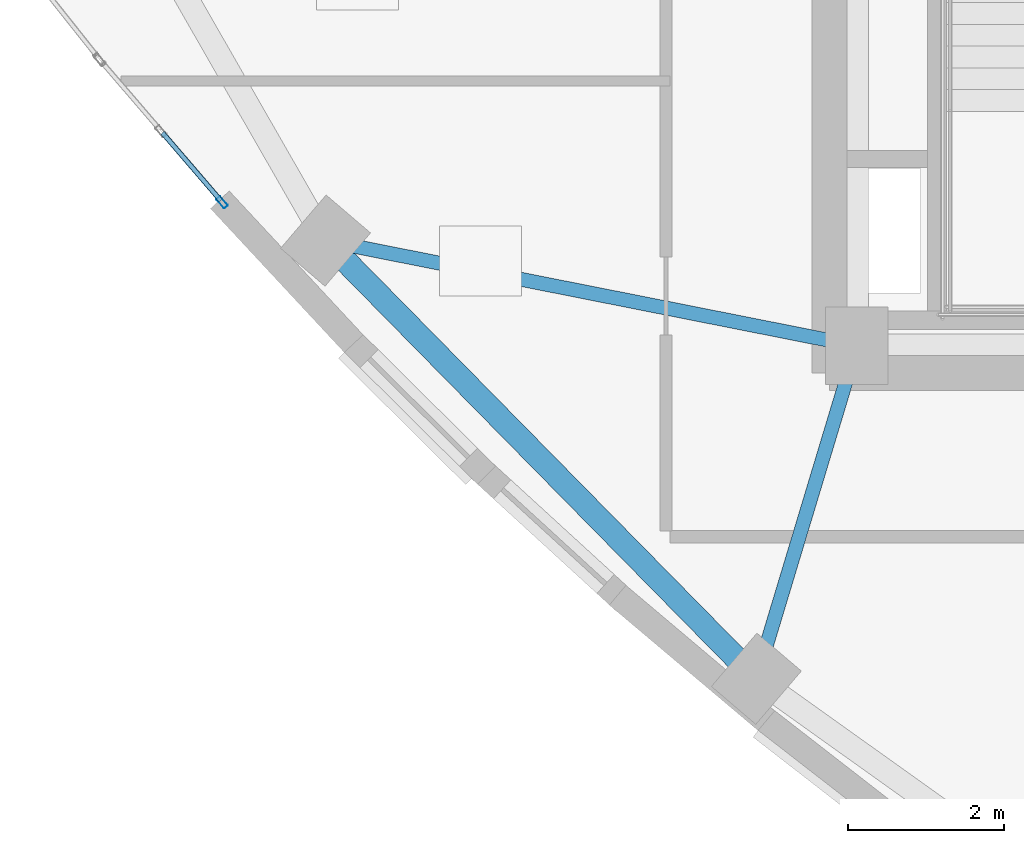
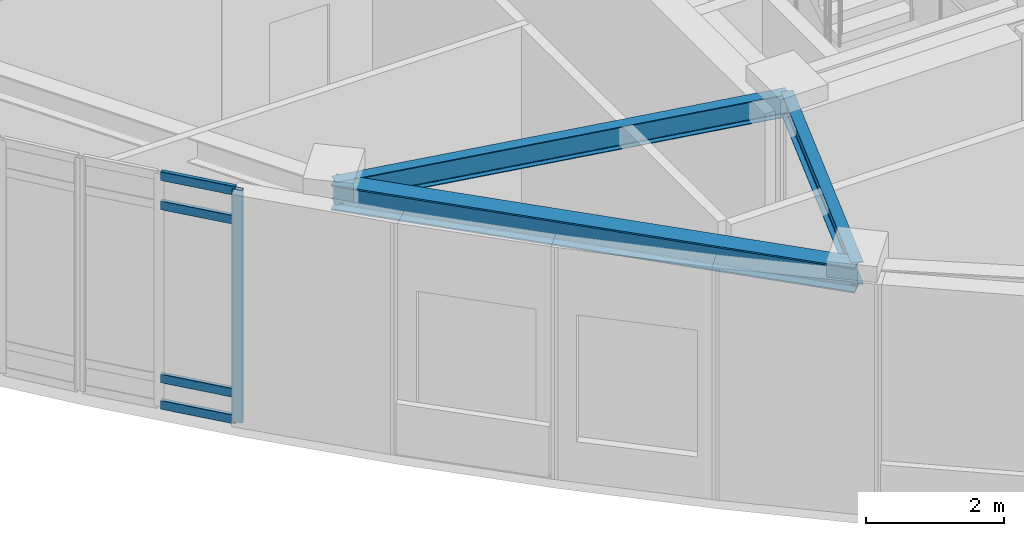
# One storey, part 2 of 19: 5 members, 3 beams, 1 element without a shape of its own.
"""IFC4 building model written with IfcOpenShell, lengths in metres."""

from ifc_helpers import new_model, si_unit, direction, frame, origin, origin_2d, place, context, subcontext, project, spatial, hollow_rectangle, i_section, extrude, material, layer, layer_set, material_profile, profile_set, type_object, element, aggregate, save


model = new_model("IFC4")

# Units and contexts
model_context = context("Model", 3, precision=1e-05, world=origin(), true_north=direction((0.0, 1.0)))
body_context = subcontext(model_context, "Body", "Model", "MODEL_VIEW")
ifc_project = project(units=[si_unit("LENGTHUNIT", "METRE"), si_unit("AREAUNIT", "SQUARE_METRE"), si_unit("VOLUMEUNIT", "CUBIC_METRE"), si_unit("PLANEANGLEUNIT", "RADIAN"), si_unit("MASSUNIT", "GRAM", prefix="KILO")], contexts=[model_context])

# Site, building, storey
site_placement = place(None, origin())
site = spatial("IfcSite", under=ifc_project, at=site_placement, CompositionType="ELEMENT")
building_placement = place(site_placement, origin())
building = spatial("IfcBuilding", under=site, at=building_placement, Name="Ndelora Gate Hotel", CompositionType="ELEMENT")
storey_placement = place(building_placement, frame((0.0, 0.0, 299.199951171875)))
storey = spatial("IfcBuildingStorey", under=building, at=storey_placement, Name="L74", CompositionType="ELEMENT", Elevation=299.199951171875)

# Beams
ifc_material_1 = material(Name="Steel S355", Category="steel")
ifc_material_profile_1 = material_profile(ifc_material_1, i_section(OverallWidth=0.179931640625, OverallDepth=0.39990234375, WebThickness=0.008544921875, FlangeThickness=0.013427734375, FilletRadius=0.02099609375, at=origin_2d()), Name="IPE 400")
ifc_profile_set_1 = profile_set([ifc_material_profile_1], Name="Steel S355")
beam_type_1 = type_object("IfcBeamType", Name="BM-RAD-400", PredefinedType="BEAM", material=ifc_profile_set_1)
beam_1_placement = place(storey_placement, frame((-8.0, -6.60009765625, 3.920166015625), z_axis=(-0.980943509294, 0.194293158846, 0.0), x_axis=(-0.194293158846, -0.980943509294, 0.0)))
element("IfcBeam", 1, at=beam_1_placement, inside=storey, type_object=beam_type_1, Name="L74 structural beam FB-5", PredefinedType="BEAM", context=body_context, shape_type="SweptSolid", body=[
    extrude(i_section(OverallWidth=0.179931640625, OverallDepth=0.39990234375, WebThickness=0.008544921875, FlangeThickness=0.013427734375, FilletRadius=0.02099609375, at=origin_2d()), origin(), (0.0, 0.0, 1.0), 6.955078125),
])
beam_2_placement = place(storey_placement, frame((-8.0, -6.60009765625, 3.920166015625), z_axis=(-0.288626468578, -0.957441779763, 0.0), x_axis=(0.957441779763, -0.288626468578, 0.0)))
element("IfcBeam", 2, at=beam_2_placement, inside=storey, type_object=beam_type_1, Name="L74 structural beam FB-5", PredefinedType="BEAM", context=body_context, shape_type="SweptSolid", body=[
    extrude(i_section(OverallWidth=0.179931640625, OverallDepth=0.39990234375, WebThickness=0.008544921875, FlangeThickness=0.013427734375, FilletRadius=0.02099609375, at=origin_2d()), origin(), (0.0, 0.0, 1.0), 4.46630859375),
])
ifc_material_profile_2 = material_profile(ifc_material_1, i_section(OverallWidth=0.300048828125, OverallDepth=0.449951171875, WebThickness=0.013916015625, FlangeThickness=0.02587890625, FilletRadius=0.027099609375, at=origin_2d()), Name="HEB 450")
ifc_profile_set_2 = profile_set([ifc_material_profile_2], Name="Steel S355")
beam_type_2 = type_object("IfcBeamType", Name="BM-RING-450", PredefinedType="SPANDREL", material=ifc_profile_set_2)
beam_3_placement = place(storey_placement, frame((-14.822509765625, -5.248779296875, 3.89501953125), z_axis=(0.701126845775, -0.713036567179, 0.0), x_axis=(0.713036567179, 0.701126845775, 0.0)))
element("IfcBeam", 3, at=beam_3_placement, inside=storey, type_object=beam_type_2, Name="L74 structural beam RB-5", PredefinedType="SPANDREL", context=body_context, shape_type="SweptSolid", body=[
    extrude(i_section(OverallWidth=0.300048828125, OverallDepth=0.449951171875, WebThickness=0.013916015625, FlangeThickness=0.02587890625, FilletRadius=0.027099609375, at=origin_2d()), origin(), (0.0, 0.0, 1.0), 7.892333984375),
])

# Curtain wall, members
ifc_material_2 = material(Name="Bronze Anodised Unitised Aluminium and Low-E Glass", Category="aluminium")
ifc_layer = layer(ifc_material_2, 0.219970703125)
ifc_layer_set = layer_set([ifc_layer], Name="Bronze Anodised Unitised Aluminium and Low-E Glass")
curtain_wall_type = type_object("IfcCurtainWallType", Name="CW-SYS-7", PredefinedType="NOTDEFINED", material=ifc_layer_set)
curtain_wall_placement = place(storey_placement, origin())
curtain_wall = element("IfcCurtainWall", 4, at=curtain_wall_placement, inside=storey, type_object=curtain_wall_type, Name="L74 West Peak Horizon Observatory Curtain Wall 2", PredefinedType="NOTDEFINED")
ifc_material_3 = material(Name="Bronze Anodised Aluminium 6063-T6", Category="aluminium")
ifc_material_profile_3 = material_profile(ifc_material_3, hollow_rectangle(XDim=0.06494140625, YDim=0.159912109375, WallThickness=0.00390625, InnerFilletRadius=0.00390625, OuterFilletRadius=0.008056640625, at=origin_2d()), Name="ALU 160x65x4")
ifc_profile_set_3 = profile_set([ifc_material_profile_3], Name="Bronze Anodised Aluminium 6063-T6")
member_type_1 = type_object("IfcMemberType", Name="MB-CW-MUL150", PredefinedType="MULLION", material=ifc_profile_set_3)
member_1_placement = place(storey_placement, frame((-16.151123046875, -4.755615234375, -0.00390625), z_axis=(0.0, 0.0, 1.0), x_axis=(0.75852990573, 0.651638229475, 0.0)))
member_1 = element("IfcMember", 5, at=member_1_placement, type_object=member_type_1, Name="CW7 mullion 3", PredefinedType="MULLION", context=body_context, shape_type="SweptSolid", body=[
    extrude(hollow_rectangle(XDim=0.06494140625, YDim=0.159912109375, WallThickness=0.00390625, InnerFilletRadius=0.00390625, OuterFilletRadius=0.008056640625, at=origin_2d()), origin(), (0.0, 0.0, 1.0), 4.1279296875),
])
ifc_material_profile_4 = material_profile(ifc_material_3, hollow_rectangle(XDim=0.06494140625, YDim=0.159912109375, WallThickness=0.00390625, InnerFilletRadius=0.00390625, OuterFilletRadius=0.008056640625, at=origin_2d()), Name="ALU 160x65x4")
ifc_profile_set_4 = profile_set([ifc_material_profile_4], Name="Bronze Anodised Aluminium 6063-T6")
member_type_2 = type_object("IfcMemberType", Name="MB-CW-TRN150", PredefinedType="USERDEFINED", material=ifc_profile_set_4)
member_2_placement = place(storey_placement, frame((-16.9169921875, -3.864013671875, 0.032470703125), z_axis=(0.65163111185, -0.758536020285, 0.0), x_axis=(0.758536020285, 0.65163111185, 0.0)))
member_2 = element("IfcMember", 6, at=member_2_placement, type_object=member_type_2, Name="CW7 transom 2.1", ObjectType="TRANSOM", PredefinedType="USERDEFINED", context=body_context, shape_type="SweptSolid", body=[
    extrude(hollow_rectangle(XDim=0.06494140625, YDim=0.159912109375, WallThickness=0.00390625, InnerFilletRadius=0.00390625, OuterFilletRadius=0.008056640625, at=origin_2d()), origin(), (0.0, 0.0, 1.0), 1.148681640625),
])
member_3_placement = place(storey_placement, frame((-16.9169921875, -3.864013671875, 0.5), z_axis=(0.65163111185, -0.758536020285, 0.0), x_axis=(0.758536020285, 0.65163111185, 0.0)))
member_3 = element("IfcMember", 7, at=member_3_placement, type_object=member_type_2, Name="CW7 transom 2.2", ObjectType="TRANSOM", PredefinedType="USERDEFINED", context=body_context, shape_type="SweptSolid", body=[
    extrude(hollow_rectangle(XDim=0.06494140625, YDim=0.159912109375, WallThickness=0.00390625, InnerFilletRadius=0.00390625, OuterFilletRadius=0.008056640625, at=origin_2d()), origin(), (0.0, 0.0, 1.0), 1.148681640625),
])
member_4_placement = place(storey_placement, frame((-16.9169921875, -3.864013671875, 3.570068359375), z_axis=(0.65163111185, -0.758536020285, 0.0), x_axis=(0.758536020285, 0.65163111185, 0.0)))
member_4 = element("IfcMember", 8, at=member_4_placement, type_object=member_type_2, Name="CW7 transom 2.3", ObjectType="TRANSOM", PredefinedType="USERDEFINED", context=body_context, shape_type="SweptSolid", body=[
    extrude(hollow_rectangle(XDim=0.06494140625, YDim=0.159912109375, WallThickness=0.00390625, InnerFilletRadius=0.00390625, OuterFilletRadius=0.008056640625, at=origin_2d()), origin(), (0.0, 0.0, 1.0), 1.148681640625),
])
member_5_placement = place(storey_placement, frame((-16.9169921875, -3.864013671875, 4.087646484375), z_axis=(0.65163111185, -0.758536020285, 0.0), x_axis=(0.758536020285, 0.65163111185, 0.0)))
member_5 = element("IfcMember", 9, at=member_5_placement, type_object=member_type_2, Name="CW7 transom 2.4", ObjectType="TRANSOM", PredefinedType="USERDEFINED", context=body_context, shape_type="SweptSolid", body=[
    extrude(hollow_rectangle(XDim=0.06494140625, YDim=0.159912109375, WallThickness=0.00390625, InnerFilletRadius=0.00390625, OuterFilletRadius=0.008056640625, at=origin_2d()), origin(), (0.0, 0.0, 1.0), 1.148681640625),
])
aggregate(curtain_wall, [member_1, member_2, member_3, member_4, member_5])

save(model, "model.ifc")
